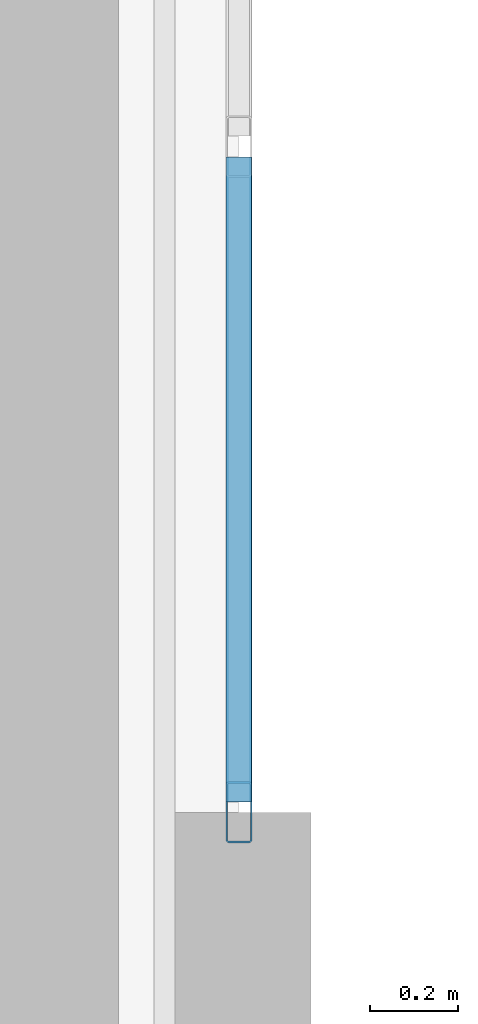
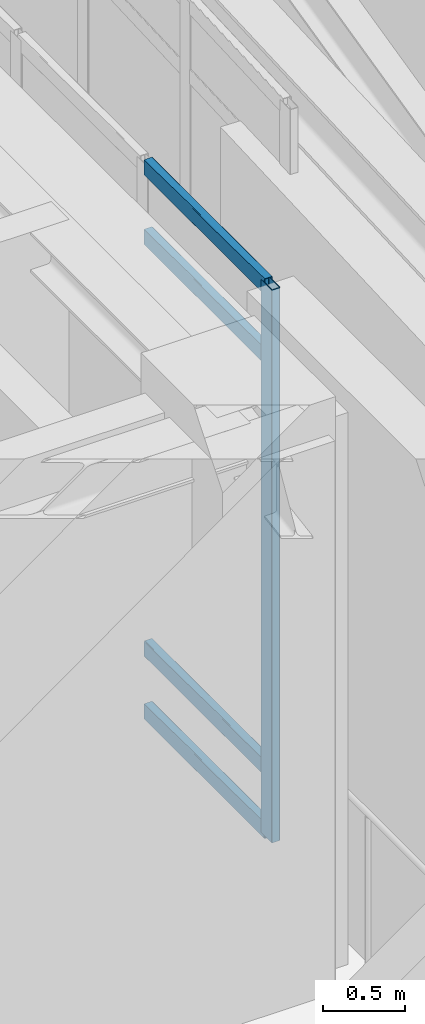
# One storey, part 4 of 19: 5 members, 1 element without a shape of its own.
"""IFC4 building model written with IfcOpenShell, lengths in metres."""

from ifc_helpers import new_model, si_unit, direction, frame, origin, origin_2d, place, context, subcontext, project, spatial, hollow_rectangle, extrude, material, layer, layer_set, material_profile, profile_set, type_object, element, aggregate, save


model = new_model("IFC4")

# Units and contexts
model_context = context("Model", 3, precision=1e-05, world=origin(), true_north=direction((0.0, 1.0)))
body_context = subcontext(model_context, "Body", "Model", "MODEL_VIEW")
ifc_project = project(units=[si_unit("LENGTHUNIT", "METRE"), si_unit("AREAUNIT", "SQUARE_METRE"), si_unit("VOLUMEUNIT", "CUBIC_METRE"), si_unit("PLANEANGLEUNIT", "RADIAN"), si_unit("MASSUNIT", "GRAM", prefix="KILO")], contexts=[model_context])

# Site, building, storey
site_placement = place(None, origin())
site = spatial("IfcSite", under=ifc_project, at=site_placement, CompositionType="ELEMENT")
building_placement = place(site_placement, origin())
building = spatial("IfcBuilding", under=site, at=building_placement, Name="Ndelora Gate Hotel", CompositionType="ELEMENT")
storey_placement = place(building_placement, frame((0.0, 0.0, 286.0)))
storey = spatial("IfcBuildingStorey", under=building, at=storey_placement, Name="L71", CompositionType="ELEMENT", Elevation=286.0)

# Curtain wall, members
ifc_material_1 = material(Name="Bronze Anodised Unitised Aluminium and Low-E Glass", Category="aluminium")
ifc_layer = layer(ifc_material_1, 0.199951171875)
ifc_layer_set = layer_set([ifc_layer], Name="Bronze Anodised Unitised Aluminium and Low-E Glass")
curtain_wall_type = type_object("IfcCurtainWallType", Name="CW-SYS-8", PredefinedType="NOTDEFINED", material=ifc_layer_set)
curtain_wall_placement = place(storey_placement, origin())
curtain_wall = element("IfcCurtainWall", 1, at=curtain_wall_placement, inside=storey, type_object=curtain_wall_type, Name="L71 Split-Crown West Cleft Lantern Curtain Wall CW8-1", PredefinedType="NOTDEFINED")
ifc_material_2 = material(Name="Bronze Anodised Aluminium 6063-T6", Category="aluminium")
ifc_material_profile_1 = material_profile(ifc_material_2, hollow_rectangle(XDim=0.06005859375, YDim=0.139892578125, WallThickness=0.00390625, InnerFilletRadius=0.00390625, OuterFilletRadius=0.008056640625, at=origin_2d()), Name="ALU 140x60x4")
ifc_profile_set_1 = profile_set([ifc_material_profile_1], Name="Bronze Anodised Aluminium 6063-T6")
member_type_1 = type_object("IfcMemberType", Name="MB-CW-MUL140", PredefinedType="MULLION", material=ifc_profile_set_1)
member_1_placement = place(storey_placement, frame((8.85009765625, -5.52001953125, -0.00390625), z_axis=(0.0, 0.0, 1.0), x_axis=(-1.0, 0.0, 0.0)))
member_1 = element("IfcMember", 2, at=member_1_placement, type_object=member_type_1, Name="CW8 mullion 1", PredefinedType="MULLION", context=body_context, shape_type="SweptSolid", body=[
    extrude(hollow_rectangle(XDim=0.06005859375, YDim=0.139892578125, WallThickness=0.00390625, InnerFilletRadius=0.00390625, OuterFilletRadius=0.008056640625, at=origin_2d()), origin(), (0.0, 0.0, 1.0), 4.137939453125),
])
ifc_material_profile_2 = material_profile(ifc_material_2, hollow_rectangle(XDim=0.06005859375, YDim=0.1201171875, WallThickness=0.00390625, InnerFilletRadius=0.00390625, OuterFilletRadius=0.008056640625, at=origin_2d()), Name="ALU 120x60x4")
ifc_profile_set_2 = profile_set([ifc_material_profile_2], Name="Bronze Anodised Aluminium 6063-T6")
member_type_2 = type_object("IfcMemberType", Name="MB-CW-TRN120", PredefinedType="USERDEFINED", material=ifc_profile_set_2)
member_2_placement = place(storey_placement, frame((8.85009765625, -5.49609375, 0.030029296875), z_axis=(0.0, 1.0, 0.0), x_axis=(-1.0, 0.0, 0.0)))
member_2 = element("IfcMember", 3, at=member_2_placement, type_object=member_type_2, Name="CW8 transom 1.1", ObjectType="TRANSOM", PredefinedType="USERDEFINED", context=body_context, shape_type="SweptSolid", body=[
    extrude(hollow_rectangle(XDim=0.06005859375, YDim=0.1201171875, WallThickness=0.00390625, InnerFilletRadius=0.00390625, OuterFilletRadius=0.008056640625, at=origin_2d()), origin(), (0.0, 0.0, 1.0), 1.47216796875),
])
member_3_placement = place(storey_placement, frame((8.85009765625, -5.49609375, 0.5), z_axis=(0.0, 1.0, 0.0), x_axis=(-1.0, 0.0, 0.0)))
member_3 = element("IfcMember", 4, at=member_3_placement, type_object=member_type_2, Name="CW8 transom 1.2", ObjectType="TRANSOM", PredefinedType="USERDEFINED", context=body_context, shape_type="SweptSolid", body=[
    extrude(hollow_rectangle(XDim=0.06005859375, YDim=0.1201171875, WallThickness=0.00390625, InnerFilletRadius=0.00390625, OuterFilletRadius=0.008056640625, at=origin_2d()), origin(), (0.0, 0.0, 1.0), 1.47216796875),
])
member_4_placement = place(storey_placement, frame((8.85009765625, -5.49609375, 3.580078125), z_axis=(0.0, 1.0, 0.0), x_axis=(-1.0, 0.0, 0.0)))
member_4 = element("IfcMember", 5, at=member_4_placement, type_object=member_type_2, Name="CW8 transom 1.3", ObjectType="TRANSOM", PredefinedType="USERDEFINED", context=body_context, shape_type="SweptSolid", body=[
    extrude(hollow_rectangle(XDim=0.06005859375, YDim=0.1201171875, WallThickness=0.00390625, InnerFilletRadius=0.00390625, OuterFilletRadius=0.008056640625, at=origin_2d()), origin(), (0.0, 0.0, 1.0), 1.47216796875),
])
member_5_placement = place(storey_placement, frame((8.85009765625, -5.49609375, 4.10009765625), z_axis=(0.0, 1.0, 0.0), x_axis=(-1.0, 0.0, 0.0)))
member_5 = element("IfcMember", 6, at=member_5_placement, type_object=member_type_2, Name="CW8 transom 1.4", ObjectType="TRANSOM", PredefinedType="USERDEFINED", context=body_context, shape_type="SweptSolid", body=[
    extrude(hollow_rectangle(XDim=0.06005859375, YDim=0.1201171875, WallThickness=0.00390625, InnerFilletRadius=0.00390625, OuterFilletRadius=0.008056640625, at=origin_2d()), origin(), (0.0, 0.0, 1.0), 1.47216796875),
])
aggregate(curtain_wall, [member_1, member_2, member_3, member_4, member_5])

save(model, "model.ifc")
